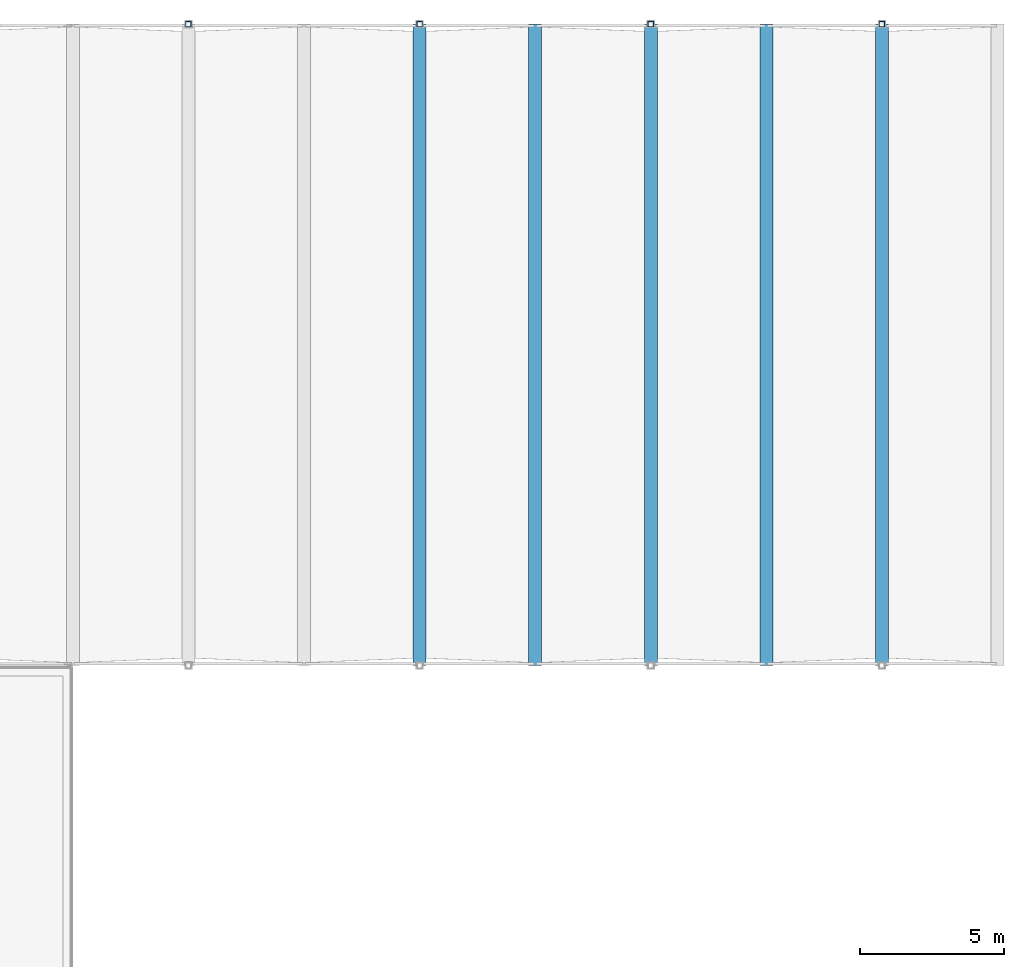
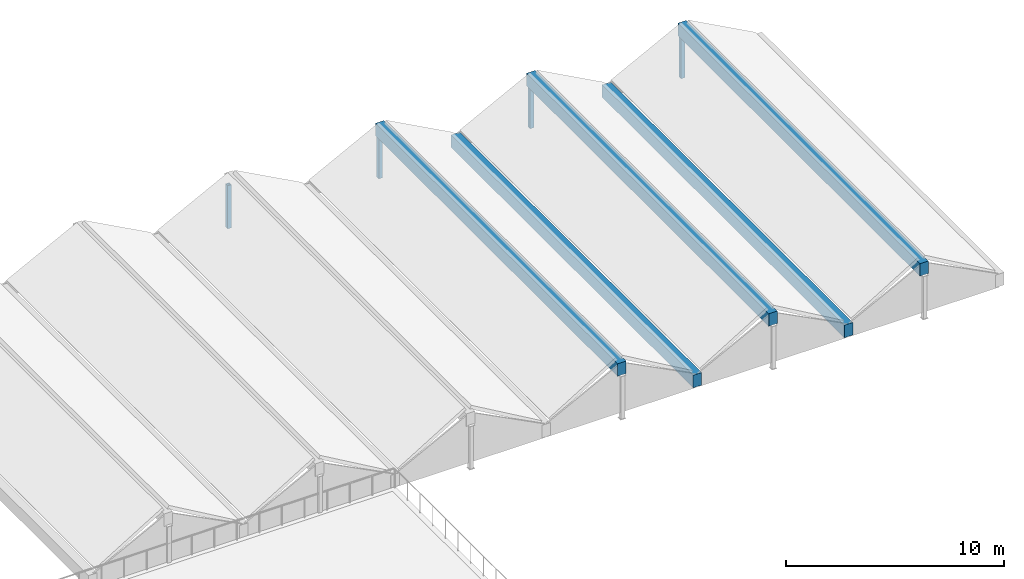
# One storey, part 17 of 35: 5 beams, 4 members.
"""IFC4 building model written with IfcOpenShell, lengths in metres."""

from ifc_helpers import new_model, si_unit, direction, frame, origin, origin_2d, place, context, subcontext, project, spatial, rectangle, hollow_rectangle, extrude, material, material_profile, profile_set, type_object, element, save


model = new_model("IFC4")

# Units and contexts
model_context = context("Model", 3, precision=1e-05, world=origin(), true_north=direction((0.0, 1.0)))
body_context = subcontext(model_context, "Body", "Model", "MODEL_VIEW")
ifc_project = project(units=[si_unit("LENGTHUNIT", "METRE"), si_unit("AREAUNIT", "SQUARE_METRE"), si_unit("VOLUMEUNIT", "CUBIC_METRE"), si_unit("PLANEANGLEUNIT", "RADIAN"), si_unit("MASSUNIT", "GRAM", prefix="KILO")], contexts=[model_context])

# Site, building, storey
site_placement = place(None, origin())
site = spatial("IfcSite", under=ifc_project, at=site_placement, CompositionType="ELEMENT")
building_placement = place(site_placement, origin())
building = spatial("IfcBuilding", under=site, at=building_placement, Name="Valkorina Park Police Headquarters", CompositionType="ELEMENT")
storey_placement = place(building_placement, frame((0.0, 0.0, 27.199951171875)))
storey = spatial("IfcBuildingStorey", under=building, at=storey_placement, Name="L07", CompositionType="ELEMENT", Elevation=27.199951171875)

# Beams
ifc_material_1 = material(Name="Concrete C40/50", Category="concrete")
ifc_material_profile_1 = material_profile(ifc_material_1, rectangle(XDim=0.449951171875, YDim=0.699951171875, at=origin_2d()), Name="RC RIDGE 450x700")
ifc_profile_set_1 = profile_set([ifc_material_profile_1], Name="Concrete C40/50")
beam_type = type_object("IfcBeamType", Name="BM-RC-RIDGE-EXT", PredefinedType="BEAM", material=ifc_profile_set_1)
for number, where, z_axis, x_axis, name in (
    (1, (108.800048828125, 59.199951171875, 2.393798828125), (0.0, 1.0, 0.0), (-1.0, 0.0, 0.0), "V2 Command Hall Folded-Plate Ridge Beam 4"),
    (2, (116.800048828125, 59.199951171875, 2.393798828125), (0.0, 1.0, 0.0), (-1.0, 0.0, 0.0), "V2 Command Hall Folded-Plate Ridge Beam 5"),
    (3, (112.800048828125, 59.199951171875, 0.35009765625), (0.0, 1.0, 0.0), (-1.0, 0.0, 0.0), "V2 Command Hall Folded-Plate Valley Beam 5.1"),
    (4, (124.800048828125, 59.199951171875, 2.393798828125), (0.0, 1.0, 0.0), (-1.0, 0.0, 0.0), "V2 Command Hall Folded-Plate Ridge Beam 6"),
    (5, (120.800048828125, 59.199951171875, 0.35009765625), (0.0, 1.0, 0.0), (-1.0, 0.0, 0.0), "V2 Command Hall Folded-Plate Valley Beam 6.1"),
):
    element("IfcBeam", number, at=place(storey_placement, frame(where, z_axis=z_axis, x_axis=x_axis)), inside=storey, type_object=beam_type, Name=name, PredefinedType="BEAM", context=body_context, shape_type="SweptSolid", body=[
        extrude(rectangle(XDim=0.449951171875, YDim=0.699951171875, at=origin_2d()), origin(), (0.0, 0.0, 1.0), 22.199951171875),
    ])

# Members
ifc_material_2 = material(Name="Steel S355", Category="steel")
ifc_material_profile_2 = material_profile(ifc_material_2, hollow_rectangle(XDim=0.199951171875, YDim=0.199951171875, WallThickness=0.012451171875, at=origin_2d()), Name="SHS 200x200x12.5")
ifc_profile_set_2 = profile_set([ifc_material_profile_2], Name="Steel S355")
member_type = type_object("IfcMemberType", Name="MB-S355-SHS200-GABLE", PredefinedType="BRACE", material=ifc_profile_set_2)
for number, where, z_axis, x_axis, name in (
    (6, (100.800048828125, 81.39990234375, -0.349853515625), (0.0, 0.0, 1.0), (1.0, 0.0, 0.0), "V2 Gable Ridge Strut 3N"),
    (7, (108.800048828125, 81.39990234375, -0.349853515625), (0.0, 0.0, 1.0), (1.0, 0.0, 0.0), "V2 Gable Ridge Strut 4N"),
    (8, (116.800048828125, 81.39990234375, -0.349853515625), (0.0, 0.0, 1.0), (1.0, 0.0, 0.0), "V2 Gable Ridge Strut 5N"),
    (9, (124.800048828125, 81.39990234375, -0.349853515625), (0.0, 0.0, 1.0), (1.0, 0.0, 0.0), "V2 Gable Ridge Strut 6N"),
):
    element("IfcMember", number, at=place(storey_placement, frame(where, z_axis=z_axis, x_axis=x_axis)), inside=storey, type_object=member_type, Name=name, PredefinedType="BRACE", context=body_context, shape_type="SweptSolid", body=[
        extrude(hollow_rectangle(XDim=0.199951171875, YDim=0.199951171875, WallThickness=0.012451171875, at=origin_2d()), origin(), (0.0, 0.0, 1.0), 2.413818359375),
    ])

save(model, "model.ifc")
